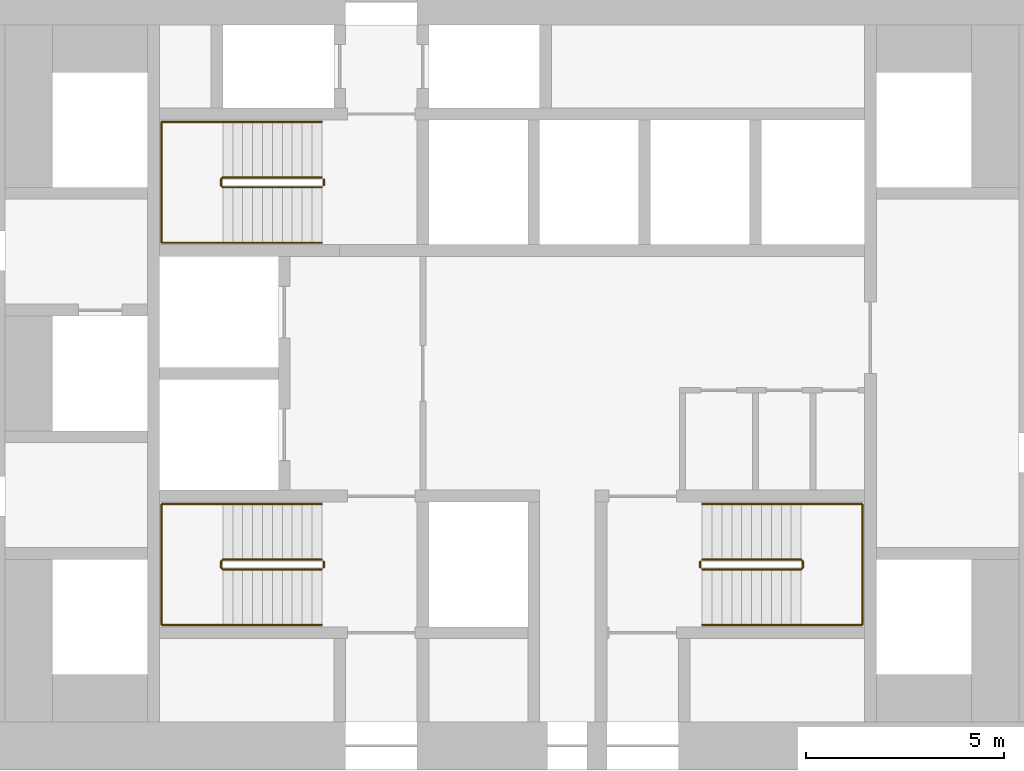
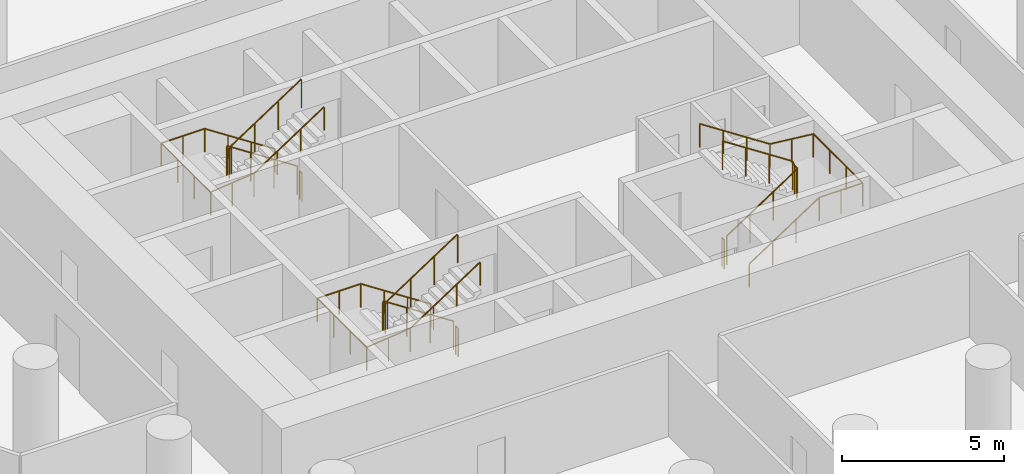
# One storey, part 12 of 12: 9 railings.
"""IFC4 building model written with IfcOpenShell, lengths in metres."""

import ifcopenshell
import ifcopenshell.guid

model = None  # the IFC model being written
_history = None  # IfcOwnerHistory: only IFC2X3 demands one
_inside = {}  # id of a spatial element -> (the spatial element, [elements in it])
_under = {}  # id of a project, library or spatial element -> (it, [spatial elements below it])
_declared = {}  # id of a project -> (the project, [libraries it declares])
_typed = {}  # id of a type object -> (the type object, [elements of that type])
_made_of = {}  # id of a material, layer set ... -> (it, [elements and type objects made of it])


def new_model(schema):
    """Start an empty IFC model of exactly this schema.

    Asked for "IFC4X3", IfcOpenShell would pick the latest addendum, in which some entities
    have other attributes; the version numbers below select the first issue.
    IFC2X3 requires an IfcOwnerHistory on every rooted entity: one is made here for all.
    """
    global model, _history
    if schema == "IFC4X3":
        model = ifcopenshell.file(schema_version=(4, 3, 0, 0))
    else:
        model = ifcopenshell.file(schema=schema)
    _inside.clear()
    _under.clear()
    _declared.clear()
    _typed.clear()
    _made_of.clear()
    _history = None
    if model.schema == "IFC2X3":
        org = make("IfcOrganization", Name="unknown")
        user = make(
            "IfcPersonAndOrganization",
            ThePerson=make("IfcPerson", FamilyName="unknown"),
            TheOrganization=org,
        )
        app = make(
            "IfcApplication",
            ApplicationDeveloper=org,
            Version="unknown",
            ApplicationFullName="unknown",
            ApplicationIdentifier="unknown",
        )
        _history = make(
            "IfcOwnerHistory",
            OwningUser=user,
            OwningApplication=app,
            ChangeAction="ADDED",
            CreationDate=0,
        )
    return model


def make(cls, **values):
    """One entity of the class cls with the attributes given. An attribute that is None is left unset."""
    return model.create_entity(
        cls, **{name: value for name, value in values.items() if value is not None}
    )


def rooted(cls, **values):
    """An entity with a GlobalId (a new one), such as an element, a storey or a relation."""
    return make(cls, GlobalId=ifcopenshell.guid.new(), OwnerHistory=_history, **values)


def si_unit(unit_type, name, prefix=None):
    """IfcSIUnit, for example si_unit("LENGTHUNIT", "METRE", prefix="MILLI")."""
    return make("IfcSIUnit", UnitType=unit_type, Prefix=prefix, Name=name)


def assignment(units):
    """IfcUnitAssignment: the units of a project."""
    return None if units is None else make("IfcUnitAssignment", Units=units)


def point(xyz):
    """IfcCartesianPoint."""
    return None if xyz is None else make("IfcCartesianPoint", Coordinates=xyz)


def direction(xyz):
    """IfcDirection."""
    return None if xyz is None else make("IfcDirection", DirectionRatios=xyz)


def frame(location, z_axis=None, x_axis=None):
    """IfcAxis2Placement3D, a coordinate frame: its origin and axes. An axis left out is left unset."""
    return make(
        "IfcAxis2Placement3D",
        Location=point(location),
        Axis=direction(z_axis),
        RefDirection=direction(x_axis),
    )


def frame_2d(location, x_axis=None):
    """IfcAxis2Placement2D, a coordinate frame in the plane: its origin and x axis."""
    return make(
        "IfcAxis2Placement2D", Location=point(location), RefDirection=direction(x_axis)
    )


def origin():
    """The frame at (0, 0, 0) with its axes left unset."""
    return frame((0.0, 0.0, 0.0))


def origin_2d():
    """The frame at (0, 0) in the plane with its x axis left unset."""
    return frame_2d((0.0, 0.0))


def place(relative_to, where):
    """IfcLocalPlacement: puts the frame where relative to a parent placement (None: the world)."""
    return make(
        "IfcLocalPlacement", PlacementRelTo=relative_to, RelativePlacement=where
    )


def context(
    kind, dimensions, precision=None, world=None, true_north=None, identifier=None
):
    """IfcGeometricRepresentationContext, for example the 3D "Model" context."""
    return make(
        "IfcGeometricRepresentationContext",
        ContextIdentifier=identifier,
        ContextType=kind,
        CoordinateSpaceDimension=dimensions,
        Precision=precision,
        WorldCoordinateSystem=world,
        TrueNorth=true_north,
    )


def subcontext(parent, identifier, kind, view, scale=None):
    """IfcGeometricRepresentationSubContext, for example "Body" below "Model"."""
    return make(
        "IfcGeometricRepresentationSubContext",
        ContextIdentifier=identifier,
        ContextType=kind,
        ParentContext=parent,
        TargetScale=scale,
        TargetView=view,
    )


def project(units=None, contexts=None):
    """IfcProject with its units and contexts."""
    return rooted(
        "IfcProject",
        Name="project",
        RepresentationContexts=contexts,
        UnitsInContext=assignment(units),
    )


def spatial(cls, under=None, at=None, **own):
    """A site, building, storey or space (cls), placed at a placement, below another one or the project."""
    s = rooted(cls, ObjectPlacement=at, **own)
    if under is not None:
        _under.setdefault(under.id(), (under, []))[1].append(s)
    return s


def profile(cls, at=None, kind="AREA", **sizes):
    """A parametric profile (cls). Its sizes go by their IFC names, for example OverallWidth=200.0."""
    return make(cls, ProfileType=kind, Position=at, **sizes)


def circle(**sizes):
    """IfcCircleProfileDef."""
    return profile("IfcCircleProfileDef", **sizes)


def extrude(swept, where, along, depth):
    """IfcExtrudedAreaSolid: the profile swept, set in the frame where, extruded along a direction by depth."""
    return make(
        "IfcExtrudedAreaSolid",
        SweptArea=swept,
        Position=where,
        ExtrudedDirection=direction(along),
        Depth=depth,
    )


def shape(context_of_items, identifier, shape_type, items):
    """IfcShapeRepresentation: the items that make up one representation, for example the "Body"."""
    return make(
        "IfcShapeRepresentation",
        ContextOfItems=context_of_items,
        RepresentationIdentifier=identifier,
        RepresentationType=shape_type,
        Items=items,
    )


def material(Name=None, Category=None):
    """IfcMaterial."""
    return make("IfcMaterial", Name=Name, Category=Category)


def made_of(thing, what):
    """Note that an element or type object is made of a material, layer set ...; save() writes the relation."""
    if what is not None:
        _made_of.setdefault(what.id(), (what, []))[1].append(thing)
    return thing


def type_object(cls, material=None, **own):
    """A type object (cls), such as IfcWallType, which elements share."""
    return made_of(rooted(cls, **own), material)


def element(
    cls,
    number,
    at=None,
    inside=None,
    cuts=None,
    type_object=None,
    material=None,
    context=None,
    identifier="Body",
    shape_type=None,
    held_by="IfcProductDefinitionShape",
    body=None,
    shapes=None,
    **own,
):
    """One element of the class cls, such as IfcWall. Its Tag is "e" and its number.

    at: its placement. inside: the storey or other place that contains it. cuts: it is an
    opening in that element (IfcRelVoidsElement). A single representation is given by context,
    identifier, shape_type and body (its items); several are given by shapes. held_by: the class
    of the entity that holds the representations. save() writes the other relations.
    """
    e = rooted(cls, Tag="e%d" % number, ObjectPlacement=at, **own)
    if body is not None:
        shapes = [shape(context, identifier, shape_type, body)]
    if shapes is not None:
        e.Representation = make(held_by, Representations=shapes)
    if inside is not None:
        _inside.setdefault(inside.id(), (inside, []))[1].append(e)
    if cuts is not None:
        rooted(
            "IfcRelVoidsElement", RelatingBuildingElement=cuts, RelatedOpeningElement=e
        )
    if type_object is not None:
        _typed.setdefault(type_object.id(), (type_object, []))[1].append(e)
    return made_of(e, material)


def aggregate(whole, parts):
    """IfcRelAggregates: a whole, such as a stair, and the parts it consists of."""
    return rooted("IfcRelAggregates", RelatingObject=whole, RelatedObjects=parts)


def save(model, path):
    """Write the relations noted so far, then the file.

    IfcRelAggregates (storeys below a building ...), IfcRelContainedInSpatialStructure (elements
    in a storey), IfcRelDefinesByType, IfcRelAssociatesMaterial and IfcRelDeclares: one each for
    every whole, place, type object, material and project.
    """
    for whole, parts in _under.values():
        aggregate(whole, parts)
    for where, things in _inside.values():
        rooted(
            "IfcRelContainedInSpatialStructure",
            RelatedElements=things,
            RelatingStructure=where,
        )
    for kind, things in _typed.values():
        rooted("IfcRelDefinesByType", RelatedObjects=things, RelatingType=kind)
    for what, things in _made_of.values():
        rooted("IfcRelAssociatesMaterial", RelatedObjects=things, RelatingMaterial=what)
    for by, libraries in _declared.values():
        rooted("IfcRelDeclares", RelatingContext=by, RelatedDefinitions=libraries)
    model.write(path)


model = new_model("IFC4")

# Units and contexts
model_context = context("Model", 3, precision=1e-05, world=origin(), true_north=direction((0.0, 1.0)))
body_context = subcontext(model_context, "Body", "Model", "MODEL_VIEW")
ifc_project = project(units=[si_unit("LENGTHUNIT", "METRE"), si_unit("AREAUNIT", "SQUARE_METRE"), si_unit("VOLUMEUNIT", "CUBIC_METRE"), si_unit("PLANEANGLEUNIT", "RADIAN"), si_unit("MASSUNIT", "GRAM", prefix="KILO")], contexts=[model_context])

# Site, building, storey
site_placement = place(None, origin())
site = spatial("IfcSite", under=ifc_project, at=site_placement, CompositionType="ELEMENT")
building_placement = place(site_placement, origin())
building = spatial("IfcBuilding", under=site, at=building_placement, Name="Tracery Tower", CompositionType="ELEMENT")
storey_placement = place(building_placement, frame((0.0, 0.0, 71.39990234375)))
storey = spatial("IfcBuildingStorey", under=building, at=storey_placement, Name="L17", CompositionType="ELEMENT", Elevation=71.39990234375)

# Railings
ifc_material_1 = material(Name="Stainless steel and laminated glass", Category="steel")
railing_type_1 = type_object("IfcRailingType", Name="Stair guard 1100", PredefinedType="GUARDRAIL", material=ifc_material_1)
railing_1_placement = place(storey_placement, frame((-4.800048828125, -4.699951171875, 0.163818359375)))
element("IfcRailing", 1, at=railing_1_placement, inside=storey, type_object=railing_type_1, Name="L17 stair ST1 guard 1", PredefinedType="GUARDRAIL", context=body_context, shape_type="SweptSolid", body=[
    extrude(circle(Radius=0.02392578125, at=origin_2d()), frame((0.0, 0.0, 1.076171875), z_axis=(-0.836721939367, 0.0, 0.547627972425), x_axis=(0.0, -1.0, 0.0)), (0.0, 0.0, 1.0), 2.98779296875),
    extrude(circle(Radius=0.02392578125, at=origin_2d()), frame((-2.5, 0.0, 2.71240234375), z_axis=(-0.707106781187, -0.707106781187, 0.0), x_axis=(0.707106781187, -0.707106781187, 0.0)), (0.0, 0.0, 1.0), 0.07080078125),
    extrude(circle(Radius=0.02392578125, at=origin_2d()), frame((-2.550048828125, -0.050048828125, 2.71240234375), z_axis=(0.0, -1.0, 0.0), x_axis=(1.0, 0.0, 0.0)), (0.0, 0.0, 1.0), 0.14990234375),
    extrude(circle(Radius=0.02392578125, at=origin_2d()), frame((-2.550048828125, -0.199951171875, 2.71240234375), z_axis=(0.280808744504, -0.280808744504, 0.917765164963), x_axis=(0.707106781187, 0.707106781187, 0.0)), (0.0, 0.0, 1.0), 0.17822265625),
    extrude(circle(Radius=0.02392578125, at=origin_2d()), frame((-2.5, -0.25, 2.8759765625), z_axis=(0.83668449804, 0.0, 0.54768517484), x_axis=(0.0, 1.0, 0.0)), (0.0, 0.0, 1.0), 2.988037109375),
    extrude(circle(Radius=0.02099609375, at=origin_2d()), origin(), (0.0, 0.0, 1.0), 1.052001953125),
    extrude(circle(Radius=0.02099609375, at=origin_2d()), frame((-0.833251953125, 0.0, 0.54541015625)), (0.0, 0.0, 1.0), 1.052001953125),
    extrude(circle(Radius=0.02099609375, at=origin_2d()), frame((-1.666748046875, 0.0, 1.0908203125)), (0.0, 0.0, 1.0), 1.052001953125),
    extrude(circle(Radius=0.02099609375, at=origin_2d()), frame((-2.5, 0.0, 1.63623046875)), (0.0, 0.0, 1.0), 1.052001953125),
    extrude(circle(Radius=0.02099609375, at=origin_2d()), frame((-2.550048828125, -0.050048828125, 1.63623046875)), (0.0, 0.0, 1.0), 1.052001953125),
    extrude(circle(Radius=0.02099609375, at=origin_2d()), frame((-2.550048828125, -0.199951171875, 1.63623046875)), (0.0, 0.0, 1.0), 1.052001953125),
    extrude(circle(Radius=0.02099609375, at=origin_2d()), frame((-2.5, -0.25, 1.7998046875)), (0.0, 0.0, 1.0), 1.052001953125),
    extrude(circle(Radius=0.02099609375, at=origin_2d()), frame((-1.666748046875, -0.25, 2.34521484375)), (0.0, 0.0, 1.0), 1.052001953125),
    extrude(circle(Radius=0.02099609375, at=origin_2d()), frame((-0.833251953125, -0.25, 2.890869140625)), (0.0, 0.0, 1.0), 1.052001953125),
    extrude(circle(Radius=0.02099609375, at=origin_2d()), frame((0.0, -0.25, 3.436279296875)), (0.0, 0.0, 1.0), 1.052001953125),
])
railing_2_placement = place(storey_placement, frame((-4.75, -4.75, 0.0)))
element("IfcRailing", 2, at=railing_2_placement, inside=storey, type_object=railing_type_1, Name="L17 stair ST1 guard 2", PredefinedType="GUARDRAIL", context=body_context, shape_type="SweptSolid", body=[
    extrude(circle(Radius=0.02392578125, at=origin_2d()), frame((0.0, 0.0, 1.076171875), z_axis=(0.0, -1.0, 0.0), x_axis=(1.0, 0.0, 0.0)), (0.0, 0.0, 1.0), 0.14990234375),
    extrude(circle(Radius=0.02099609375, at=origin_2d()), origin(), (0.0, 0.0, 1.0), 1.052001953125),
    extrude(circle(Radius=0.02099609375, at=origin_2d()), frame((0.0, -0.14990234375, 0.0)), (0.0, 0.0, 1.0), 1.052001953125),
])
railing_3_placement = place(storey_placement, frame((-4.800048828125, 4.949951171875, 0.163818359375)))
element("IfcRailing", 3, at=railing_3_placement, inside=storey, type_object=railing_type_1, Name="L17 stair ST3 guard 1", PredefinedType="GUARDRAIL", context=body_context, shape_type="SweptSolid", body=[
    extrude(circle(Radius=0.02392578125, at=origin_2d()), frame((0.0, 0.0, 1.076171875), z_axis=(-0.836721939367, 0.0, 0.547627972425), x_axis=(0.0, -1.0, 0.0)), (0.0, 0.0, 1.0), 2.98779296875),
    extrude(circle(Radius=0.02392578125, at=origin_2d()), frame((-2.5, 0.0, 2.71240234375), z_axis=(-0.707106781187, -0.707106781187, 0.0), x_axis=(0.707106781187, -0.707106781187, 0.0)), (0.0, 0.0, 1.0), 0.07080078125),
    extrude(circle(Radius=0.02392578125, at=origin_2d()), frame((-2.550048828125, -0.050048828125, 2.71240234375), z_axis=(0.0, -1.0, 0.0), x_axis=(1.0, 0.0, 0.0)), (0.0, 0.0, 1.0), 0.14990234375),
    extrude(circle(Radius=0.02392578125, at=origin_2d()), frame((-2.550048828125, -0.199951171875, 2.71240234375), z_axis=(0.280808744504, -0.280808744504, 0.917765164963), x_axis=(0.707106781187, 0.707106781187, 0.0)), (0.0, 0.0, 1.0), 0.17822265625),
    extrude(circle(Radius=0.02392578125, at=origin_2d()), frame((-2.5, -0.25, 2.8759765625), z_axis=(0.83668449804, 0.0, 0.54768517484), x_axis=(0.0, 1.0, 0.0)), (0.0, 0.0, 1.0), 2.988037109375),
    extrude(circle(Radius=0.02099609375, at=origin_2d()), origin(), (0.0, 0.0, 1.0), 1.052001953125),
    extrude(circle(Radius=0.02099609375, at=origin_2d()), frame((-0.833251953125, 0.0, 0.54541015625)), (0.0, 0.0, 1.0), 1.052001953125),
    extrude(circle(Radius=0.02099609375, at=origin_2d()), frame((-1.666748046875, 0.0, 1.0908203125)), (0.0, 0.0, 1.0), 1.052001953125),
    extrude(circle(Radius=0.02099609375, at=origin_2d()), frame((-2.5, 0.0, 1.63623046875)), (0.0, 0.0, 1.0), 1.052001953125),
    extrude(circle(Radius=0.02099609375, at=origin_2d()), frame((-2.550048828125, -0.050048828125, 1.63623046875)), (0.0, 0.0, 1.0), 1.052001953125),
    extrude(circle(Radius=0.02099609375, at=origin_2d()), frame((-2.550048828125, -0.199951171875, 1.63623046875)), (0.0, 0.0, 1.0), 1.052001953125),
    extrude(circle(Radius=0.02099609375, at=origin_2d()), frame((-2.5, -0.25, 1.7998046875)), (0.0, 0.0, 1.0), 1.052001953125),
    extrude(circle(Radius=0.02099609375, at=origin_2d()), frame((-1.666748046875, -0.25, 2.34521484375)), (0.0, 0.0, 1.0), 1.052001953125),
    extrude(circle(Radius=0.02099609375, at=origin_2d()), frame((-0.833251953125, -0.25, 2.890869140625)), (0.0, 0.0, 1.0), 1.052001953125),
    extrude(circle(Radius=0.02099609375, at=origin_2d()), frame((0.0, -0.25, 3.436279296875)), (0.0, 0.0, 1.0), 1.052001953125),
])
railing_4_placement = place(storey_placement, frame((-4.75, 4.89990234375, 0.0)))
element("IfcRailing", 4, at=railing_4_placement, inside=storey, type_object=railing_type_1, Name="L17 stair ST3 guard 2", PredefinedType="GUARDRAIL", context=body_context, shape_type="SweptSolid", body=[
    extrude(circle(Radius=0.02392578125, at=origin_2d()), frame((0.0, 0.0, 1.076171875), z_axis=(0.0, -1.0, 0.0), x_axis=(1.0, 0.0, 0.0)), (0.0, 0.0, 1.0), 0.14990234375),
    extrude(circle(Radius=0.02099609375, at=origin_2d()), origin(), (0.0, 0.0, 1.0), 1.052001953125),
    extrude(circle(Radius=0.02099609375, at=origin_2d()), frame((0.0, -0.14990234375, 0.0)), (0.0, 0.0, 1.0), 1.052001953125),
])
railing_5_placement = place(storey_placement, frame((4.800048828125, -4.949951171875, 0.163818359375)))
element("IfcRailing", 5, at=railing_5_placement, inside=storey, type_object=railing_type_1, Name="L17 stair ST2 guard 1", PredefinedType="GUARDRAIL", context=body_context, shape_type="SweptSolid", body=[
    extrude(circle(Radius=0.02392578125, at=origin_2d()), frame((0.0, 0.0, 1.076171875), z_axis=(0.836721939367, 0.0, 0.547627972425), x_axis=(0.0, 1.0, 0.0)), (0.0, 0.0, 1.0), 2.98779296875),
    extrude(circle(Radius=0.02392578125, at=origin_2d()), frame((2.5, 0.0, 2.71240234375), z_axis=(0.707106781187, 0.707106781187, 0.0), x_axis=(-0.707106781187, 0.707106781187, 0.0)), (0.0, 0.0, 1.0), 0.07080078125),
    extrude(circle(Radius=0.02392578125, at=origin_2d()), frame((2.550048828125, 0.050048828125, 2.71240234375), z_axis=(0.0, 1.0, 0.0), x_axis=(-1.0, 0.0, 0.0)), (0.0, 0.0, 1.0), 0.14990234375),
    extrude(circle(Radius=0.02392578125, at=origin_2d()), frame((2.550048828125, 0.199951171875, 2.71240234375), z_axis=(-0.280808744504, 0.280808744504, 0.917765164963), x_axis=(-0.707106781187, -0.707106781187, 0.0)), (0.0, 0.0, 1.0), 0.17822265625),
    extrude(circle(Radius=0.02392578125, at=origin_2d()), frame((2.5, 0.25, 2.8759765625), z_axis=(-0.83668449804, 0.0, 0.54768517484), x_axis=(0.0, -1.0, 0.0)), (0.0, 0.0, 1.0), 2.988037109375),
    extrude(circle(Radius=0.02099609375, at=origin_2d()), origin(), (0.0, 0.0, 1.0), 1.052001953125),
    extrude(circle(Radius=0.02099609375, at=origin_2d()), frame((0.833251953125, 0.0, 0.54541015625)), (0.0, 0.0, 1.0), 1.052001953125),
    extrude(circle(Radius=0.02099609375, at=origin_2d()), frame((1.666748046875, 0.0, 1.0908203125)), (0.0, 0.0, 1.0), 1.052001953125),
    extrude(circle(Radius=0.02099609375, at=origin_2d()), frame((2.5, 0.0, 1.63623046875)), (0.0, 0.0, 1.0), 1.052001953125),
    extrude(circle(Radius=0.02099609375, at=origin_2d()), frame((2.550048828125, 0.050048828125, 1.63623046875)), (0.0, 0.0, 1.0), 1.052001953125),
    extrude(circle(Radius=0.02099609375, at=origin_2d()), frame((2.550048828125, 0.199951171875, 1.63623046875)), (0.0, 0.0, 1.0), 1.052001953125),
    extrude(circle(Radius=0.02099609375, at=origin_2d()), frame((2.5, 0.25, 1.7998046875)), (0.0, 0.0, 1.0), 1.052001953125),
    extrude(circle(Radius=0.02099609375, at=origin_2d()), frame((1.666748046875, 0.25, 2.34521484375)), (0.0, 0.0, 1.0), 1.052001953125),
    extrude(circle(Radius=0.02099609375, at=origin_2d()), frame((0.833251953125, 0.25, 2.890869140625)), (0.0, 0.0, 1.0), 1.052001953125),
    extrude(circle(Radius=0.02099609375, at=origin_2d()), frame((0.0, 0.25, 3.436279296875)), (0.0, 0.0, 1.0), 1.052001953125),
])
railing_6_placement = place(storey_placement, frame((4.75, -4.89990234375, 0.0)))
element("IfcRailing", 6, at=railing_6_placement, inside=storey, type_object=railing_type_1, Name="L17 stair ST2 guard 2", PredefinedType="GUARDRAIL", context=body_context, shape_type="SweptSolid", body=[
    extrude(circle(Radius=0.02392578125, at=origin_2d()), frame((0.0, 0.0, 1.076171875), z_axis=(0.0, 1.0, 0.0), x_axis=(-1.0, 0.0, 0.0)), (0.0, 0.0, 1.0), 0.14990234375),
    extrude(circle(Radius=0.02099609375, at=origin_2d()), origin(), (0.0, 0.0, 1.0), 1.052001953125),
    extrude(circle(Radius=0.02099609375, at=origin_2d()), frame((0.0, 0.14990234375, 0.0)), (0.0, 0.0, 1.0), 1.052001953125),
])
ifc_material_2 = material(Name="Stainless steel and laminated glass", Category="steel")
railing_type_2 = type_object("IfcRailingType", Name="Stair handrail 900", PredefinedType="HANDRAIL", material=ifc_material_2)
railing_7_placement = place(storey_placement, frame((-4.800048828125, -3.300048828125, 0.163818359375)))
element("IfcRailing", 7, at=railing_7_placement, inside=storey, type_object=railing_type_2, Name="L17 stair ST1 handrail 1", PredefinedType="HANDRAIL", context=body_context, shape_type="SweptSolid", body=[
    extrude(circle(Radius=0.02392578125, at=origin_2d()), frame((0.0, 0.0, 0.8759765625), z_axis=(-0.836721939367, 0.0, 0.547627972425), x_axis=(0.0, -1.0, 0.0)), (0.0, 0.0, 1.0), 2.98779296875),
    extrude(circle(Radius=0.02392578125, at=origin_2d()), frame((-2.5, 0.0, 2.51220703125), z_axis=(-1.0, 0.0, 0.0), x_axis=(0.0, -1.0, 0.0)), (0.0, 0.0, 1.0), 1.550048828125),
    extrude(circle(Radius=0.02392578125, at=origin_2d()), frame((-4.050048828125, 0.0, 2.51220703125), z_axis=(0.0, -1.0, 0.0), x_axis=(1.0, 0.0, 0.0)), (0.0, 0.0, 1.0), 3.050048828125),
    extrude(circle(Radius=0.02392578125, at=origin_2d()), frame((-4.050048828125, -3.050048828125, 2.51220703125), z_axis=(0.994477953863, 0.0, 0.104945696817), x_axis=(0.0, 1.0, 0.0)), (0.0, 0.0, 1.0), 1.55859375),
    extrude(circle(Radius=0.02392578125, at=origin_2d()), frame((-2.5, -3.050048828125, 2.67578125), z_axis=(0.83668449804, 0.0, 0.54768517484), x_axis=(0.0, 1.0, 0.0)), (0.0, 0.0, 1.0), 2.988037109375),
    extrude(circle(Radius=0.02099609375, at=origin_2d()), origin(), (0.0, 0.0, 1.0), 0.851806640625),
    extrude(circle(Radius=0.02099609375, at=origin_2d()), frame((-0.833251953125, 0.0, 0.54541015625)), (0.0, 0.0, 1.0), 0.851806640625),
    extrude(circle(Radius=0.02099609375, at=origin_2d()), frame((-1.666748046875, 0.0, 1.0908203125)), (0.0, 0.0, 1.0), 0.851806640625),
    extrude(circle(Radius=0.02099609375, at=origin_2d()), frame((-2.5, 0.0, 1.63623046875)), (0.0, 0.0, 1.0), 0.851806640625),
    extrude(circle(Radius=0.02099609375, at=origin_2d()), frame((-3.27490234375, 0.0, 1.63623046875)), (0.0, 0.0, 1.0), 0.851806640625),
    extrude(circle(Radius=0.02099609375, at=origin_2d()), frame((-4.050048828125, 0.0, 1.63623046875)), (0.0, 0.0, 1.0), 0.851806640625),
    extrude(circle(Radius=0.02099609375, at=origin_2d()), frame((-4.050048828125, -1.0166015625, 1.63623046875)), (0.0, 0.0, 1.0), 0.851806640625),
    extrude(circle(Radius=0.02099609375, at=origin_2d()), frame((-4.050048828125, -2.033447265625, 1.63623046875)), (0.0, 0.0, 1.0), 0.851806640625),
    extrude(circle(Radius=0.02099609375, at=origin_2d()), frame((-4.050048828125, -3.050048828125, 1.63623046875)), (0.0, 0.0, 1.0), 0.851806640625),
    extrude(circle(Radius=0.02099609375, at=origin_2d()), frame((-3.27490234375, -3.050048828125, 1.718017578125)), (0.0, 0.0, 1.0), 0.851806640625),
    extrude(circle(Radius=0.02099609375, at=origin_2d()), frame((-2.5, -3.050048828125, 1.7998046875)), (0.0, 0.0, 1.0), 0.851806640625),
    extrude(circle(Radius=0.02099609375, at=origin_2d()), frame((-1.666748046875, -3.050048828125, 2.34521484375)), (0.0, 0.0, 1.0), 0.851806640625),
    extrude(circle(Radius=0.02099609375, at=origin_2d()), frame((-0.833251953125, -3.050048828125, 2.890869140625)), (0.0, 0.0, 1.0), 0.851806640625),
    extrude(circle(Radius=0.02099609375, at=origin_2d()), frame((0.0, -3.050048828125, 3.436279296875)), (0.0, 0.0, 1.0), 0.851806640625),
])
railing_8_placement = place(storey_placement, frame((-4.800048828125, 6.35009765625, 0.163818359375)))
element("IfcRailing", 8, at=railing_8_placement, inside=storey, type_object=railing_type_2, Name="L17 stair ST3 handrail 1", PredefinedType="HANDRAIL", context=body_context, shape_type="SweptSolid", body=[
    extrude(circle(Radius=0.02392578125, at=origin_2d()), frame((0.0, 0.0, 0.8759765625), z_axis=(-0.836721939367, 0.0, 0.547627972425), x_axis=(0.0, -1.0, 0.0)), (0.0, 0.0, 1.0), 2.98779296875),
    extrude(circle(Radius=0.02392578125, at=origin_2d()), frame((-2.5, 0.0, 2.51220703125), z_axis=(-1.0, 0.0, 0.0), x_axis=(0.0, -1.0, 0.0)), (0.0, 0.0, 1.0), 1.550048828125),
    extrude(circle(Radius=0.02392578125, at=origin_2d()), frame((-4.050048828125, 0.0, 2.51220703125), z_axis=(0.0, -1.0, 0.0), x_axis=(1.0, 0.0, 0.0)), (0.0, 0.0, 1.0), 3.050048828125),
    extrude(circle(Radius=0.02392578125, at=origin_2d()), frame((-4.050048828125, -3.050048828125, 2.51220703125), z_axis=(0.994477953863, 0.0, 0.104945696817), x_axis=(0.0, 1.0, 0.0)), (0.0, 0.0, 1.0), 1.55859375),
    extrude(circle(Radius=0.02392578125, at=origin_2d()), frame((-2.5, -3.050048828125, 2.67578125), z_axis=(0.83668449804, 0.0, 0.54768517484), x_axis=(0.0, 1.0, 0.0)), (0.0, 0.0, 1.0), 2.988037109375),
    extrude(circle(Radius=0.02099609375, at=origin_2d()), origin(), (0.0, 0.0, 1.0), 0.851806640625),
    extrude(circle(Radius=0.02099609375, at=origin_2d()), frame((-0.833251953125, 0.0, 0.54541015625)), (0.0, 0.0, 1.0), 0.851806640625),
    extrude(circle(Radius=0.02099609375, at=origin_2d()), frame((-1.666748046875, 0.0, 1.0908203125)), (0.0, 0.0, 1.0), 0.851806640625),
    extrude(circle(Radius=0.02099609375, at=origin_2d()), frame((-2.5, 0.0, 1.63623046875)), (0.0, 0.0, 1.0), 0.851806640625),
    extrude(circle(Radius=0.02099609375, at=origin_2d()), frame((-3.27490234375, 0.0, 1.63623046875)), (0.0, 0.0, 1.0), 0.851806640625),
    extrude(circle(Radius=0.02099609375, at=origin_2d()), frame((-4.050048828125, 0.0, 1.63623046875)), (0.0, 0.0, 1.0), 0.851806640625),
    extrude(circle(Radius=0.02099609375, at=origin_2d()), frame((-4.050048828125, -1.0166015625, 1.63623046875)), (0.0, 0.0, 1.0), 0.851806640625),
    extrude(circle(Radius=0.02099609375, at=origin_2d()), frame((-4.050048828125, -2.033447265625, 1.63623046875)), (0.0, 0.0, 1.0), 0.851806640625),
    extrude(circle(Radius=0.02099609375, at=origin_2d()), frame((-4.050048828125, -3.050048828125, 1.63623046875)), (0.0, 0.0, 1.0), 0.851806640625),
    extrude(circle(Radius=0.02099609375, at=origin_2d()), frame((-3.27490234375, -3.050048828125, 1.718017578125)), (0.0, 0.0, 1.0), 0.851806640625),
    extrude(circle(Radius=0.02099609375, at=origin_2d()), frame((-2.5, -3.050048828125, 1.7998046875)), (0.0, 0.0, 1.0), 0.851806640625),
    extrude(circle(Radius=0.02099609375, at=origin_2d()), frame((-1.666748046875, -3.050048828125, 2.34521484375)), (0.0, 0.0, 1.0), 0.851806640625),
    extrude(circle(Radius=0.02099609375, at=origin_2d()), frame((-0.833251953125, -3.050048828125, 2.890869140625)), (0.0, 0.0, 1.0), 0.851806640625),
    extrude(circle(Radius=0.02099609375, at=origin_2d()), frame((0.0, -3.050048828125, 3.436279296875)), (0.0, 0.0, 1.0), 0.851806640625),
])
railing_9_placement = place(storey_placement, frame((4.800048828125, -6.35009765625, 0.163818359375)))
element("IfcRailing", 9, at=railing_9_placement, inside=storey, type_object=railing_type_2, Name="L17 stair ST2 handrail 1", PredefinedType="HANDRAIL", context=body_context, shape_type="SweptSolid", body=[
    extrude(circle(Radius=0.02392578125, at=origin_2d()), frame((0.0, 0.0, 0.8759765625), z_axis=(0.836721939367, 0.0, 0.547627972425), x_axis=(0.0, 1.0, 0.0)), (0.0, 0.0, 1.0), 2.98779296875),
    extrude(circle(Radius=0.02392578125, at=origin_2d()), frame((2.5, 0.0, 2.51220703125), z_axis=(1.0, 0.0, 0.0), x_axis=(0.0, 1.0, 0.0)), (0.0, 0.0, 1.0), 1.550048828125),
    extrude(circle(Radius=0.02392578125, at=origin_2d()), frame((4.050048828125, 0.0, 2.51220703125), z_axis=(0.0, 1.0, 0.0), x_axis=(-1.0, 0.0, 0.0)), (0.0, 0.0, 1.0), 3.050048828125),
    extrude(circle(Radius=0.02392578125, at=origin_2d()), frame((4.050048828125, 3.050048828125, 2.51220703125), z_axis=(-0.994477953863, 0.0, 0.104945696817), x_axis=(0.0, -1.0, 0.0)), (0.0, 0.0, 1.0), 1.55859375),
    extrude(circle(Radius=0.02392578125, at=origin_2d()), frame((2.5, 3.050048828125, 2.67578125), z_axis=(-0.83668449804, 0.0, 0.54768517484), x_axis=(0.0, -1.0, 0.0)), (0.0, 0.0, 1.0), 2.988037109375),
    extrude(circle(Radius=0.02099609375, at=origin_2d()), origin(), (0.0, 0.0, 1.0), 0.851806640625),
    extrude(circle(Radius=0.02099609375, at=origin_2d()), frame((0.833251953125, 0.0, 0.54541015625)), (0.0, 0.0, 1.0), 0.851806640625),
    extrude(circle(Radius=0.02099609375, at=origin_2d()), frame((1.666748046875, 0.0, 1.0908203125)), (0.0, 0.0, 1.0), 0.851806640625),
    extrude(circle(Radius=0.02099609375, at=origin_2d()), frame((2.5, 0.0, 1.63623046875)), (0.0, 0.0, 1.0), 0.851806640625),
    extrude(circle(Radius=0.02099609375, at=origin_2d()), frame((3.27490234375, 0.0, 1.63623046875)), (0.0, 0.0, 1.0), 0.851806640625),
    extrude(circle(Radius=0.02099609375, at=origin_2d()), frame((4.050048828125, 0.0, 1.63623046875)), (0.0, 0.0, 1.0), 0.851806640625),
    extrude(circle(Radius=0.02099609375, at=origin_2d()), frame((4.050048828125, 1.0166015625, 1.63623046875)), (0.0, 0.0, 1.0), 0.851806640625),
    extrude(circle(Radius=0.02099609375, at=origin_2d()), frame((4.050048828125, 2.033447265625, 1.63623046875)), (0.0, 0.0, 1.0), 0.851806640625),
    extrude(circle(Radius=0.02099609375, at=origin_2d()), frame((4.050048828125, 3.050048828125, 1.63623046875)), (0.0, 0.0, 1.0), 0.851806640625),
    extrude(circle(Radius=0.02099609375, at=origin_2d()), frame((3.27490234375, 3.050048828125, 1.718017578125)), (0.0, 0.0, 1.0), 0.851806640625),
    extrude(circle(Radius=0.02099609375, at=origin_2d()), frame((2.5, 3.050048828125, 1.7998046875)), (0.0, 0.0, 1.0), 0.851806640625),
    extrude(circle(Radius=0.02099609375, at=origin_2d()), frame((1.666748046875, 3.050048828125, 2.34521484375)), (0.0, 0.0, 1.0), 0.851806640625),
    extrude(circle(Radius=0.02099609375, at=origin_2d()), frame((0.833251953125, 3.050048828125, 2.890869140625)), (0.0, 0.0, 1.0), 0.851806640625),
    extrude(circle(Radius=0.02099609375, at=origin_2d()), frame((0.0, 3.050048828125, 3.436279296875)), (0.0, 0.0, 1.0), 0.851806640625),
])

save(model, "model.ifc")
